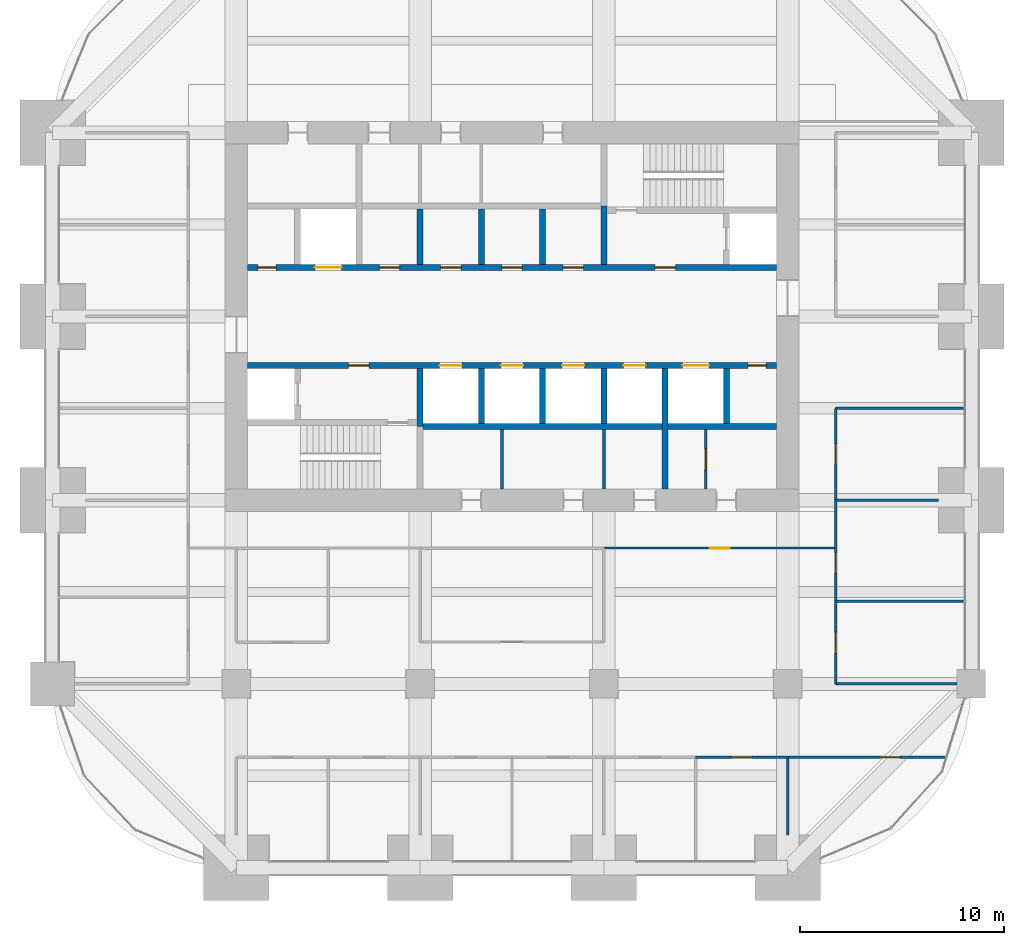
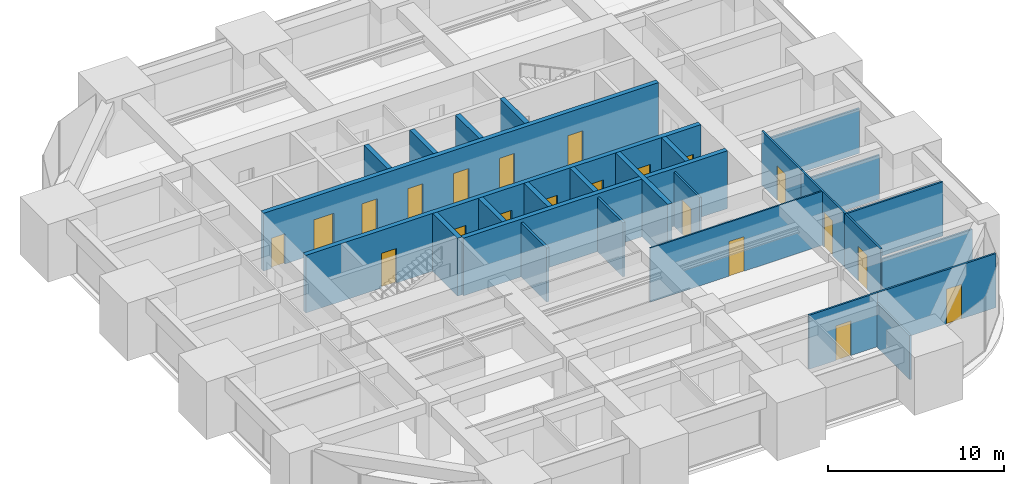
# One storey, part 41 of 43: 27 walls, 21 doors, 21 openings.
"""IFC4 building model written with IfcOpenShell, lengths in metres."""

from ifc_helpers import new_model, si_unit, direction, frame, frame_2d, origin, place, context, subcontext, project, spatial, rectangle, extrude, material, layer, layer_set, type_object, element, fill, save


model = new_model("IFC4")

# Units and contexts
model_context = context("Model", 3, precision=1e-05, world=origin(), true_north=direction((0.0, 1.0)))
body_context = subcontext(model_context, "Body", "Model", "MODEL_VIEW")
ifc_project = project(units=[si_unit("LENGTHUNIT", "METRE"), si_unit("AREAUNIT", "SQUARE_METRE"), si_unit("VOLUMEUNIT", "CUBIC_METRE"), si_unit("PLANEANGLEUNIT", "RADIAN"), si_unit("MASSUNIT", "GRAM", prefix="KILO")], contexts=[model_context])

# Site, building, storey
site_placement = place(None, origin())
site = spatial("IfcSite", under=ifc_project, at=site_placement, CompositionType="ELEMENT")
building_placement = place(site_placement, origin())
building = spatial("IfcBuilding", under=site, at=building_placement, Name="Zorevar Civic Tower", CompositionType="ELEMENT")
storey_placement = place(building_placement, frame((0.0, 0.0, 243.39990234375)))
storey = spatial("IfcBuildingStorey", under=building, at=storey_placement, Name="L59", CompositionType="ELEMENT", Elevation=243.39990234375)

# Wall, opening, door
ifc_material_1 = material(Name="Laminated glass in black aluminium frame", Category="aluminium")
ifc_layer_1 = layer(ifc_material_1, 0.10009765625)
ifc_layer_set_1 = layer_set([ifc_layer_1], Name="Glazed partition 100")
wall_type_1 = type_object("IfcWallType", Name="Glazed partition 100", PredefinedType="PARTITIONING", material=ifc_layer_set_1)
wall_1_placement = place(storey_placement, frame((36.010009765625, 15.64990234375, 0.0), z_axis=(0.0, 0.0, 1.0), x_axis=(1.0, 0.0, 0.0)))
wall_1 = element("IfcWall", 1, at=wall_1_placement, inside=storey, type_object=wall_type_1, Name="Glazed partition 100 L59", PredefinedType="PARTITIONING", context=body_context, shape_type="SweptSolid", body=[
    extrude(rectangle(XDim=11.330078125, YDim=0.10009765625, at=frame_2d((5.6650390625, 0.0))), origin(), (0.0, 0.0, 1.0), 3.75),
])
opening_1_placement = place(wall_1_placement, frame((5.1650390625, 0.0, 0.0)))
opening_1 = element("IfcOpeningElement", 2, at=opening_1_placement, cuts=wall_1, Name="Opening L59.26", PredefinedType="OPENING", context=body_context, shape_type="SweptSolid", body=[
    extrude(rectangle(XDim=1.0, YDim=2.39990234375, at=frame_2d((0.5, 1.199951171875))), frame((0.0, 0.06005859375, 0.0), z_axis=(0.0, -1.0, 0.0), x_axis=(1.0, 0.0, 0.0)), (0.0, 0.0, 1.0), 0.1201171875),
])
ifc_material_2 = material(Name="Timber door set", Category="wood")
door_type_1 = type_object("IfcDoorType", Name="Glazed door GD1 1000x2400", OperationType="SINGLE_SWING_LEFT", PredefinedType="DOOR", material=ifc_material_2)
door_1_placement = place(opening_1_placement, origin())
door_1 = element("IfcDoor", 3, at=door_1_placement, inside=storey, type_object=door_type_1, Name="Door L59 D1", OperationType="SINGLE_SWING_RIGHT", OverallHeight=2.39990234375, OverallWidth=1.0, PredefinedType="DOOR", context=body_context, shape_type="SweptSolid", body=[
    extrude(rectangle(XDim=1.0, YDim=2.39990234375, at=frame_2d((0.5, 1.199951171875))), frame((0.0, 0.02001953125, 0.0), z_axis=(0.0, -1.0, 0.0), x_axis=(1.0, 0.0, 0.0)), (0.0, 0.0, 1.0), 0.0400390625),
])
fill(opening_1, door_1)

# Wall, openings, doors
ifc_material_3 = material(Name="Concrete C40/50", Category="concrete")
ifc_layer_2 = layer(ifc_material_3, 0.300048828125)
ifc_layer_set_2 = layer_set([ifc_layer_2], Name="Inner core wall 300")
wall_type_2 = type_object("IfcWallType", Name="Inner core wall 300", PredefinedType="SHEAR", material=ifc_layer_set_2)
wall_2_placement = place(storey_placement, frame((18.550048828125, 24.60009765625, 0.0), z_axis=(0.0, 0.0, 1.0), x_axis=(1.0, 0.0, 0.0)))
wall_2 = element("IfcWall", 4, at=wall_2_placement, inside=storey, type_object=wall_type_2, Name="Inner core wall S03 L59", PredefinedType="SHEAR", context=body_context, shape_type="SweptSolid", body=[
    extrude(rectangle(XDim=25.89990234375, YDim=0.300048828125, at=frame_2d((12.949951171875, 0.0))), origin(), (0.0, 0.0, 1.0), 4.0),
])
opening_2_placement = place(wall_2_placement, frame((4.949951171875, 0.0, 0.0)))
opening_2 = element("IfcOpeningElement", 5, at=opening_2_placement, cuts=wall_2, Name="Opening L59.13", PredefinedType="OPENING", context=body_context, shape_type="SweptSolid", body=[
    extrude(rectangle(XDim=1.0, YDim=2.39990234375, at=frame_2d((0.5, 1.199951171875))), frame((0.0, 0.159912109375, 0.0), z_axis=(0.0, -1.0, 0.0), x_axis=(1.0, 0.0, 0.0)), (0.0, 0.0, 1.0), 0.320068359375),
])
opening_3_placement = place(wall_2_placement, frame((24.5, 0.0, 0.0)))
opening_3 = element("IfcOpeningElement", 6, at=opening_3_placement, cuts=wall_2, Name="Opening L59.15", PredefinedType="OPENING", context=body_context, shape_type="SweptSolid", body=[
    extrude(rectangle(XDim=0.89990234375, YDim=2.10009765625, at=frame_2d((0.449951171875, 1.050048828125))), frame((0.0, 0.159912109375, 0.0), z_axis=(0.0, -1.0, 0.0), x_axis=(1.0, 0.0, 0.0)), (0.0, 0.0, 1.0), 0.320068359375),
])
opening_4_placement = place(wall_2_placement, frame((9.39990234375, 0.0, 0.0)))
opening_4 = element("IfcOpeningElement", 7, at=opening_4_placement, cuts=wall_2, Name="Opening L59.LT1", PredefinedType="OPENING", context=body_context, shape_type="SweptSolid", body=[
    extrude(rectangle(XDim=1.10009765625, YDim=2.39990234375, at=frame_2d((0.550048828125, 1.199951171875))), frame((0.0, 0.159912109375, 0.0), z_axis=(0.0, -1.0, 0.0), x_axis=(1.0, 0.0, 0.0)), (0.0, 0.0, 1.0), 0.320068359375),
])
opening_5_placement = place(wall_2_placement, frame((12.39990234375, 0.0, 0.0)))
opening_5 = element("IfcOpeningElement", 8, at=opening_5_placement, cuts=wall_2, Name="Opening L59.LT2", PredefinedType="OPENING", context=body_context, shape_type="SweptSolid", body=[
    extrude(rectangle(XDim=1.10009765625, YDim=2.39990234375, at=frame_2d((0.550048828125, 1.199951171875))), frame((0.0, 0.159912109375, 0.0), z_axis=(0.0, -1.0, 0.0), x_axis=(1.0, 0.0, 0.0)), (0.0, 0.0, 1.0), 0.320068359375),
])
opening_6_placement = place(wall_2_placement, frame((15.39990234375, 0.0, 0.0)))
opening_6 = element("IfcOpeningElement", 9, at=opening_6_placement, cuts=wall_2, Name="Opening L59.LT3", PredefinedType="OPENING", context=body_context, shape_type="SweptSolid", body=[
    extrude(rectangle(XDim=1.10009765625, YDim=2.39990234375, at=frame_2d((0.550048828125, 1.199951171875))), frame((0.0, 0.159912109375, 0.0), z_axis=(0.0, -1.0, 0.0), x_axis=(1.0, 0.0, 0.0)), (0.0, 0.0, 1.0), 0.320068359375),
])
opening_7_placement = place(wall_2_placement, frame((18.39990234375, 0.0, 0.0)))
opening_7 = element("IfcOpeningElement", 10, at=opening_7_placement, cuts=wall_2, Name="Opening L59.LT4", PredefinedType="OPENING", context=body_context, shape_type="SweptSolid", body=[
    extrude(rectangle(XDim=1.10009765625, YDim=2.39990234375, at=frame_2d((0.550048828125, 1.199951171875))), frame((0.0, 0.159912109375, 0.0), z_axis=(0.0, -1.0, 0.0), x_axis=(1.0, 0.0, 0.0)), (0.0, 0.0, 1.0), 0.320068359375),
])
opening_8_placement = place(wall_2_placement, frame((21.300048828125, 0.0, 0.0)))
opening_8 = element("IfcOpeningElement", 11, at=opening_8_placement, cuts=wall_2, Name="Opening L59.SL1", PredefinedType="OPENING", context=body_context, shape_type="SweptSolid", body=[
    extrude(rectangle(XDim=1.300048828125, YDim=2.39990234375, at=frame_2d((0.64990234375, 1.199951171875))), frame((0.0, 0.159912109375, 0.0), z_axis=(0.0, -1.0, 0.0), x_axis=(1.0, 0.0, 0.0)), (0.0, 0.0, 1.0), 0.320068359375),
])
ifc_material_4 = material(Name="Steel door set", Category="steel")
door_type_2 = type_object("IfcDoorType", Name="Fire door FD1 1000x2400", OperationType="SINGLE_SWING_LEFT", PredefinedType="DOOR", material=ifc_material_4)
door_2_placement = place(opening_2_placement, origin())
door_2 = element("IfcDoor", 12, at=door_2_placement, inside=storey, type_object=door_type_2, Name="Door L59 12", OperationType="SINGLE_SWING_RIGHT", OverallHeight=2.39990234375, OverallWidth=1.0, PredefinedType="DOOR", context=body_context, shape_type="SweptSolid", body=[
    extrude(rectangle(XDim=1.0, YDim=2.39990234375, at=frame_2d((0.5, 1.199951171875))), frame((0.0, 0.030029296875, 0.0), z_axis=(0.0, -1.0, 0.0), x_axis=(1.0, 0.0, 0.0)), (0.0, 0.0, 1.0), 0.06005859375),
])
fill(opening_2, door_2)
ifc_material_5 = material(Name="Steel door set", Category="steel")
door_type_3 = type_object("IfcDoorType", Name="Landing door LD1 1100x2400", OperationType="DOUBLE_DOOR_SLIDING", PredefinedType="DOOR", material=ifc_material_5)
door_3_placement = place(opening_4_placement, origin())
door_3 = element("IfcDoor", 13, at=door_3_placement, inside=storey, type_object=door_type_3, Name="Landing door LT1 L59", OperationType="DOUBLE_DOOR_SLIDING", OverallHeight=2.39990234375, OverallWidth=1.10009765625, PredefinedType="DOOR", context=body_context, shape_type="SweptSolid", body=[
    extrude(rectangle(XDim=1.10009765625, YDim=2.39990234375, at=frame_2d((0.550048828125, 1.199951171875))), frame((0.0, 0.02001953125, 0.0), z_axis=(0.0, -1.0, 0.0), x_axis=(1.0, 0.0, 0.0)), (0.0, 0.0, 1.0), 0.0400390625),
])
fill(opening_4, door_3)
door_4_placement = place(opening_5_placement, origin())
door_4 = element("IfcDoor", 14, at=door_4_placement, inside=storey, type_object=door_type_3, Name="Landing door LT2 L59", OperationType="DOUBLE_DOOR_SLIDING", OverallHeight=2.39990234375, OverallWidth=1.10009765625, PredefinedType="DOOR", context=body_context, shape_type="SweptSolid", body=[
    extrude(rectangle(XDim=1.10009765625, YDim=2.39990234375, at=frame_2d((0.550048828125, 1.199951171875))), frame((0.0, 0.02001953125, 0.0), z_axis=(0.0, -1.0, 0.0), x_axis=(1.0, 0.0, 0.0)), (0.0, 0.0, 1.0), 0.0400390625),
])
fill(opening_5, door_4)
door_5_placement = place(opening_6_placement, origin())
door_5 = element("IfcDoor", 15, at=door_5_placement, inside=storey, type_object=door_type_3, Name="Landing door LT3 L59", OperationType="DOUBLE_DOOR_SLIDING", OverallHeight=2.39990234375, OverallWidth=1.10009765625, PredefinedType="DOOR", context=body_context, shape_type="SweptSolid", body=[
    extrude(rectangle(XDim=1.10009765625, YDim=2.39990234375, at=frame_2d((0.550048828125, 1.199951171875))), frame((0.0, 0.02001953125, 0.0), z_axis=(0.0, -1.0, 0.0), x_axis=(1.0, 0.0, 0.0)), (0.0, 0.0, 1.0), 0.0400390625),
])
fill(opening_6, door_5)
door_6_placement = place(opening_7_placement, origin())
door_6 = element("IfcDoor", 16, at=door_6_placement, inside=storey, type_object=door_type_3, Name="Landing door LT4 L59", OperationType="DOUBLE_DOOR_SLIDING", OverallHeight=2.39990234375, OverallWidth=1.10009765625, PredefinedType="DOOR", context=body_context, shape_type="SweptSolid", body=[
    extrude(rectangle(XDim=1.10009765625, YDim=2.39990234375, at=frame_2d((0.550048828125, 1.199951171875))), frame((0.0, 0.02001953125, 0.0), z_axis=(0.0, -1.0, 0.0), x_axis=(1.0, 0.0, 0.0)), (0.0, 0.0, 1.0), 0.0400390625),
])
fill(opening_7, door_6)
ifc_material_6 = material(Name="Steel door set", Category="steel")
door_type_4 = type_object("IfcDoorType", Name="Landing door LD2 1300x2400", OperationType="DOUBLE_DOOR_SLIDING", PredefinedType="DOOR", material=ifc_material_6)
door_7_placement = place(opening_8_placement, origin())
door_7 = element("IfcDoor", 17, at=door_7_placement, inside=storey, type_object=door_type_4, Name="Landing door SL1 L59", OperationType="DOUBLE_DOOR_SLIDING", OverallHeight=2.39990234375, OverallWidth=1.300048828125, PredefinedType="DOOR", context=body_context, shape_type="SweptSolid", body=[
    extrude(rectangle(XDim=1.300048828125, YDim=2.39990234375, at=frame_2d((0.64990234375, 1.199951171875))), frame((0.0, 0.02001953125, 0.0), z_axis=(0.0, -1.0, 0.0), x_axis=(1.0, 0.0, 0.0)), (0.0, 0.0, 1.0), 0.0400390625),
])
fill(opening_8, door_7)
ifc_material_7 = material(Name="Steel door set", Category="steel")
door_type_5 = type_object("IfcDoorType", Name="Riser door RD1 900x2100", OperationType="SINGLE_SWING_LEFT", PredefinedType="DOOR", material=ifc_material_7)
door_8_placement = place(opening_3_placement, origin())
door_8 = element("IfcDoor", 18, at=door_8_placement, inside=storey, type_object=door_type_5, Name="Door L59 14", OperationType="SINGLE_SWING_RIGHT", OverallHeight=2.10009765625, OverallWidth=0.89990234375, PredefinedType="DOOR", context=body_context, shape_type="SweptSolid", body=[
    extrude(rectangle(XDim=0.89990234375, YDim=2.10009765625, at=frame_2d((0.449951171875, 1.050048828125))), frame((0.0, 0.030029296875, 0.0), z_axis=(0.0, -1.0, 0.0), x_axis=(1.0, 0.0, 0.0)), (0.0, 0.0, 1.0), 0.06005859375),
])
fill(opening_3, door_8)

wall_3_placement = place(storey_placement, frame((18.550048828125, 29.39990234375, 0.0), z_axis=(0.0, 0.0, 1.0), x_axis=(1.0, 0.0, 0.0)))
wall_3 = element("IfcWall", 19, at=wall_3_placement, inside=storey, type_object=wall_type_2, Name="Inner core wall N03 L59", PredefinedType="SHEAR", context=body_context, shape_type="SweptSolid", body=[
    extrude(rectangle(XDim=25.89990234375, YDim=0.300048828125, at=frame_2d((12.949951171875, 0.0))), origin(), (0.0, 0.0, 1.0), 4.0),
])
opening_9_placement = place(wall_3_placement, frame((19.949951171875, 0.0, 0.0)))
opening_9 = element("IfcOpeningElement", 20, at=opening_9_placement, cuts=wall_3, Name="Opening L59.14", PredefinedType="OPENING", context=body_context, shape_type="SweptSolid", body=[
    extrude(rectangle(XDim=1.0, YDim=2.39990234375, at=frame_2d((0.5, 1.199951171875))), frame((0.0, 0.159912109375, 0.0), z_axis=(0.0, -1.0, 0.0), x_axis=(1.0, 0.0, 0.0)), (0.0, 0.0, 1.0), 0.320068359375),
])
opening_10_placement = place(wall_3_placement, frame((0.5, 0.0, 0.0)))
opening_10 = element("IfcOpeningElement", 21, at=opening_10_placement, cuts=wall_3, Name="Opening L59.16", PredefinedType="OPENING", context=body_context, shape_type="SweptSolid", body=[
    extrude(rectangle(XDim=0.89990234375, YDim=2.10009765625, at=frame_2d((0.449951171875, 1.050048828125))), frame((0.0, 0.159912109375, 0.0), z_axis=(0.0, -1.0, 0.0), x_axis=(1.0, 0.0, 0.0)), (0.0, 0.0, 1.0), 0.320068359375),
])
opening_11_placement = place(wall_3_placement, frame((15.449951171875, 0.0, 0.0)))
opening_11 = element("IfcOpeningElement", 22, at=opening_11_placement, cuts=wall_3, Name="Opening L59.39", PredefinedType="OPENING", context=body_context, shape_type="SweptSolid", body=[
    extrude(rectangle(XDim=1.0, YDim=2.39990234375, at=frame_2d((0.5, 1.199951171875))), frame((0.0, 0.159912109375, 0.0), z_axis=(0.0, -1.0, 0.0), x_axis=(1.0, 0.0, 0.0)), (0.0, 0.0, 1.0), 0.320068359375),
])
opening_12_placement = place(wall_3_placement, frame((12.449951171875, 0.0, 0.0)))
opening_12 = element("IfcOpeningElement", 23, at=opening_12_placement, cuts=wall_3, Name="Opening L59.40", PredefinedType="OPENING", context=body_context, shape_type="SweptSolid", body=[
    extrude(rectangle(XDim=1.0, YDim=2.39990234375, at=frame_2d((0.5, 1.199951171875))), frame((0.0, 0.159912109375, 0.0), z_axis=(0.0, -1.0, 0.0), x_axis=(1.0, 0.0, 0.0)), (0.0, 0.0, 1.0), 0.320068359375),
])
opening_13_placement = place(wall_3_placement, frame((9.449951171875, 0.0, 0.0)))
opening_13 = element("IfcOpeningElement", 24, at=opening_13_placement, cuts=wall_3, Name="Opening L59.41", PredefinedType="OPENING", context=body_context, shape_type="SweptSolid", body=[
    extrude(rectangle(XDim=1.0, YDim=2.39990234375, at=frame_2d((0.5, 1.199951171875))), frame((0.0, 0.159912109375, 0.0), z_axis=(0.0, -1.0, 0.0), x_axis=(1.0, 0.0, 0.0)), (0.0, 0.0, 1.0), 0.320068359375),
])
opening_14_placement = place(wall_3_placement, frame((6.449951171875, 0.0, 0.0)))
opening_14 = element("IfcOpeningElement", 25, at=opening_14_placement, cuts=wall_3, Name="Opening L59.42", PredefinedType="OPENING", context=body_context, shape_type="SweptSolid", body=[
    extrude(rectangle(XDim=1.0, YDim=2.39990234375, at=frame_2d((0.5, 1.199951171875))), frame((0.0, 0.159912109375, 0.0), z_axis=(0.0, -1.0, 0.0), x_axis=(1.0, 0.0, 0.0)), (0.0, 0.0, 1.0), 0.320068359375),
])
opening_15_placement = place(wall_3_placement, frame((3.300048828125, 0.0, 0.0)))
opening_15 = element("IfcOpeningElement", 26, at=opening_15_placement, cuts=wall_3, Name="Opening L59.SL2", PredefinedType="OPENING", context=body_context, shape_type="SweptSolid", body=[
    extrude(rectangle(XDim=1.300048828125, YDim=2.39990234375, at=frame_2d((0.64990234375, 1.199951171875))), frame((0.0, 0.159912109375, 0.0), z_axis=(0.0, -1.0, 0.0), x_axis=(1.0, 0.0, 0.0)), (0.0, 0.0, 1.0), 0.320068359375),
])
door_9_placement = place(opening_9_placement, origin())
door_9 = element("IfcDoor", 27, at=door_9_placement, inside=storey, type_object=door_type_2, Name="Door L59 13", OperationType="SINGLE_SWING_RIGHT", OverallHeight=2.39990234375, OverallWidth=1.0, PredefinedType="DOOR", context=body_context, shape_type="SweptSolid", body=[
    extrude(rectangle(XDim=1.0, YDim=2.39990234375, at=frame_2d((0.5, 1.199951171875))), frame((0.0, 0.030029296875, 0.0), z_axis=(0.0, -1.0, 0.0), x_axis=(1.0, 0.0, 0.0)), (0.0, 0.0, 1.0), 0.06005859375),
])
fill(opening_9, door_9)
door_10_placement = place(opening_11_placement, origin())
door_10 = element("IfcDoor", 28, at=door_10_placement, inside=storey, type_object=door_type_2, Name="Door L59 LM1 shaft room", OperationType="SINGLE_SWING_LEFT", OverallHeight=2.39990234375, OverallWidth=1.0, PredefinedType="DOOR", context=body_context, shape_type="SweptSolid", body=[
    extrude(rectangle(XDim=1.0, YDim=2.39990234375, at=frame_2d((0.5, 1.199951171875))), frame((0.0, 0.030029296875, 0.0), z_axis=(0.0, -1.0, 0.0), x_axis=(1.0, 0.0, 0.0)), (0.0, 0.0, 1.0), 0.06005859375),
])
fill(opening_11, door_10)
door_11_placement = place(opening_12_placement, origin())
door_11 = element("IfcDoor", 29, at=door_11_placement, inside=storey, type_object=door_type_2, Name="Door L59 LM2 shaft room", OperationType="SINGLE_SWING_RIGHT", OverallHeight=2.39990234375, OverallWidth=1.0, PredefinedType="DOOR", context=body_context, shape_type="SweptSolid", body=[
    extrude(rectangle(XDim=1.0, YDim=2.39990234375, at=frame_2d((0.5, 1.199951171875))), frame((0.0, 0.030029296875, 0.0), z_axis=(0.0, -1.0, 0.0), x_axis=(1.0, 0.0, 0.0)), (0.0, 0.0, 1.0), 0.06005859375),
])
fill(opening_12, door_11)
door_12_placement = place(opening_13_placement, origin())
door_12 = element("IfcDoor", 30, at=door_12_placement, inside=storey, type_object=door_type_2, Name="Door L59 LH1 shaft room", OperationType="SINGLE_SWING_RIGHT", OverallHeight=2.39990234375, OverallWidth=1.0, PredefinedType="DOOR", context=body_context, shape_type="SweptSolid", body=[
    extrude(rectangle(XDim=1.0, YDim=2.39990234375, at=frame_2d((0.5, 1.199951171875))), frame((0.0, 0.030029296875, 0.0), z_axis=(0.0, -1.0, 0.0), x_axis=(1.0, 0.0, 0.0)), (0.0, 0.0, 1.0), 0.06005859375),
])
fill(opening_13, door_12)
door_13_placement = place(opening_14_placement, origin())
door_13 = element("IfcDoor", 31, at=door_13_placement, inside=storey, type_object=door_type_2, Name="Door L59 LH2 shaft room", OperationType="SINGLE_SWING_RIGHT", OverallHeight=2.39990234375, OverallWidth=1.0, PredefinedType="DOOR", context=body_context, shape_type="SweptSolid", body=[
    extrude(rectangle(XDim=1.0, YDim=2.39990234375, at=frame_2d((0.5, 1.199951171875))), frame((0.0, 0.030029296875, 0.0), z_axis=(0.0, -1.0, 0.0), x_axis=(1.0, 0.0, 0.0)), (0.0, 0.0, 1.0), 0.06005859375),
])
fill(opening_14, door_13)
door_14_placement = place(opening_15_placement, origin())
door_14 = element("IfcDoor", 32, at=door_14_placement, inside=storey, type_object=door_type_4, Name="Landing door SL2 L59", OperationType="DOUBLE_DOOR_SLIDING", OverallHeight=2.39990234375, OverallWidth=1.300048828125, PredefinedType="DOOR", context=body_context, shape_type="SweptSolid", body=[
    extrude(rectangle(XDim=1.300048828125, YDim=2.39990234375, at=frame_2d((0.64990234375, 1.199951171875))), frame((0.0, 0.02001953125, 0.0), z_axis=(0.0, -1.0, 0.0), x_axis=(1.0, 0.0, 0.0)), (0.0, 0.0, 1.0), 0.0400390625),
])
fill(opening_15, door_14)
door_15_placement = place(opening_10_placement, origin())
door_15 = element("IfcDoor", 33, at=door_15_placement, inside=storey, type_object=door_type_5, Name="Door L59 15", OperationType="SINGLE_SWING_RIGHT", OverallHeight=2.10009765625, OverallWidth=0.89990234375, PredefinedType="DOOR", context=body_context, shape_type="SweptSolid", body=[
    extrude(rectangle(XDim=0.89990234375, YDim=2.10009765625, at=frame_2d((0.449951171875, 1.050048828125))), frame((0.0, 0.030029296875, 0.0), z_axis=(0.0, -1.0, 0.0), x_axis=(1.0, 0.0, 0.0)), (0.0, 0.0, 1.0), 0.06005859375),
])
fill(opening_10, door_15)

# Walls
wall_4_placement = place(storey_placement, frame((27.14990234375, 21.60009765625, 0.0), z_axis=(0.0, 0.0, 1.0), x_axis=(1.0, 0.0, 0.0)))
element("IfcWall", 34, at=wall_4_placement, inside=storey, type_object=wall_type_2, Name="Inner core wall S04 L59", PredefinedType="SHEAR", context=body_context, shape_type="SweptSolid", body=[
    extrude(rectangle(XDim=17.300048828125, YDim=0.300048828125, at=frame_2d((8.64990234375, 0.0))), origin(), (0.0, 0.0, 1.0), 4.0),
])
for number, where, z_axis, x_axis, name in (
    (35, (30.0, 21.75, 0.0), (0.0, 0.0, 1.0), (0.0, 1.0, 0.0), "Inner core wall S05 L59"),
    (36, (33.0, 29.550048828125, 0.0), (0.0, 0.0, 1.0), (0.0, 1.0, 0.0), "Inner core wall N05 L59"),
    (37, (33.0, 21.75, 0.0), (0.0, 0.0, 1.0), (0.0, 1.0, 0.0), "Inner core wall S06 L59"),
    (38, (30.0, 29.550048828125, 0.0), (0.0, 0.0, 1.0), (0.0, 1.0, 0.0), "Inner core wall N06 L59"),
    (39, (36.0, 21.75, 0.0), (0.0, 0.0, 1.0), (0.0, 1.0, 0.0), "Inner core wall S07 L59"),
    (40, (27.0, 29.550048828125, 0.0), (0.0, 0.0, 1.0), (0.0, 1.0, 0.0), "Inner core wall N07 L59"),
):
    element("IfcWall", number, at=place(storey_placement, frame(where, z_axis=z_axis, x_axis=x_axis)), inside=storey, type_object=wall_type_2, Name=name, PredefinedType="SHEAR", context=body_context, shape_type="SweptSolid", body=[
        extrude(rectangle(XDim=2.699951171875, YDim=0.300048828125, at=frame_2d((1.35009765625, 0.0))), origin(), (0.0, 0.0, 1.0), 4.0),
    ])
wall_5_placement = place(storey_placement, frame((39.0, 18.550048828125, 0.0), z_axis=(0.0, 0.0, 1.0), x_axis=(0.0, 1.0, 0.0)))
element("IfcWall", 41, at=wall_5_placement, inside=storey, type_object=wall_type_2, Name="Inner core wall S08 L59", PredefinedType="SHEAR", context=body_context, shape_type="SweptSolid", body=[
    extrude(rectangle(XDim=5.89990234375, YDim=0.300048828125, at=frame_2d((2.949951171875, 0.0))), origin(), (0.0, 0.0, 1.0), 4.0),
])
wall_6_placement = place(storey_placement, frame((42.0, 21.75, 0.0), z_axis=(0.0, 0.0, 1.0), x_axis=(0.0, 1.0, 0.0)))
element("IfcWall", 42, at=wall_6_placement, inside=storey, type_object=wall_type_2, Name="Inner core wall S09 L59", PredefinedType="SHEAR", context=body_context, shape_type="SweptSolid", body=[
    extrude(rectangle(XDim=2.699951171875, YDim=0.300048828125, at=frame_2d((1.35009765625, 0.0))), origin(), (0.0, 0.0, 1.0), 4.0),
])
for number, where, z_axis, x_axis, name in (
    (43, (27.0, 21.60009765625, 0.0), (0.0, 0.0, 1.0), (0.0, 1.0, 0.0), "Inner core wall S10 L59"),
    (44, (36.0, 29.550048828125, 0.0), (0.0, 0.0, 1.0), (0.0, 1.0, 0.0), "Inner core wall N10 L59"),
):
    element("IfcWall", number, at=place(storey_placement, frame(where, z_axis=z_axis, x_axis=x_axis)), inside=storey, type_object=wall_type_2, Name=name, PredefinedType="SHEAR", context=body_context, shape_type="SweptSolid", body=[
        extrude(rectangle(XDim=2.849853515625, YDim=0.300048828125, at=frame_2d((1.4248046875, 0.0))), origin(), (0.0, 0.0, 1.0), 4.0),
    ])

# Wall, opening, door
ifc_material_8 = material(Name="Gypsum board on steel studs", Category="steel")
ifc_layer_3 = layer(ifc_material_8, 0.1201171875)
ifc_layer_set_3 = layer_set([ifc_layer_3], Name="Partition 120")
wall_type_3 = type_object("IfcWallType", Name="Partition 120", PredefinedType="PARTITIONING", material=ifc_layer_set_3)
wall_7_placement = place(storey_placement, frame((40.5, 5.39990234375, 0.0), z_axis=(0.0, 0.0, 1.0), x_axis=(1.0, 0.0, 0.0)))
wall_7 = element("IfcWall", 45, at=wall_7_placement, inside=storey, type_object=wall_type_3, Name="Partition 120 L59", PredefinedType="PARTITIONING", context=body_context, shape_type="SweptSolid", body=[
    extrude(rectangle(XDim=4.5, YDim=0.1201171875, at=frame_2d((2.25, 0.0))), origin(), (0.0, 0.0, 1.0), 3.75),
])
opening_16_placement = place(wall_7_placement, frame((1.75, 0.0, 0.0)))
opening_16 = element("IfcOpeningElement", 46, at=opening_16_placement, cuts=wall_7, Name="Opening L59.22", PredefinedType="OPENING", context=body_context, shape_type="SweptSolid", body=[
    extrude(rectangle(XDim=1.0, YDim=2.39990234375, at=frame_2d((0.5, 1.199951171875))), frame((0.0, 0.070068359375, 0.0), z_axis=(0.0, -1.0, 0.0), x_axis=(1.0, 0.0, 0.0)), (0.0, 0.0, 1.0), 0.14013671875),
])
ifc_material_9 = material(Name="Timber door set", Category="wood")
door_type_6 = type_object("IfcDoorType", Name="Door D1 1000x2400", OperationType="SINGLE_SWING_LEFT", PredefinedType="DOOR", material=ifc_material_9)
door_16_placement = place(opening_16_placement, origin())
door_16 = element("IfcDoor", 47, at=door_16_placement, inside=storey, type_object=door_type_6, Name="Door L59 D1", OperationType="SINGLE_SWING_LEFT", OverallHeight=2.39990234375, OverallWidth=1.0, PredefinedType="DOOR", context=body_context, shape_type="SweptSolid", body=[
    extrude(rectangle(XDim=1.0, YDim=2.39990234375, at=frame_2d((0.5, 1.199951171875))), frame((0.0, 0.02490234375, 0.0), z_axis=(0.0, -1.0, 0.0), x_axis=(1.0, 0.0, 0.0)), (0.0, 0.0, 1.0), 0.050048828125),
])
fill(opening_16, door_16)

wall_8_placement = place(storey_placement, frame((45.0, 5.39990234375, 0.0), z_axis=(0.0, 0.0, 1.0), x_axis=(1.0, 0.0, 0.0)))
wall_8 = element("IfcWall", 48, at=wall_8_placement, inside=storey, type_object=wall_type_3, Name="Partition 120 L59", PredefinedType="PARTITIONING", context=body_context, shape_type="SweptSolid", body=[
    extrude(rectangle(XDim=7.74560546875, YDim=0.1201171875, at=frame_2d((3.872802734375, 0.0))), origin(), (0.0, 0.0, 1.0), 3.75),
])
opening_17_placement = place(wall_8_placement, frame((4.5, 0.0, 0.0)))
opening_17 = element("IfcOpeningElement", 49, at=opening_17_placement, cuts=wall_8, Name="Opening L59.23", PredefinedType="OPENING", context=body_context, shape_type="SweptSolid", body=[
    extrude(rectangle(XDim=1.0, YDim=2.39990234375, at=frame_2d((0.5, 1.199951171875))), frame((0.0, 0.070068359375, 0.0), z_axis=(0.0, -1.0, 0.0), x_axis=(1.0, 0.0, 0.0)), (0.0, 0.0, 1.0), 0.14013671875),
])
door_17_placement = place(opening_17_placement, origin())
door_17 = element("IfcDoor", 50, at=door_17_placement, inside=storey, type_object=door_type_6, Name="Door L59 D1", OperationType="SINGLE_SWING_LEFT", OverallHeight=2.39990234375, OverallWidth=1.0, PredefinedType="DOOR", context=body_context, shape_type="SweptSolid", body=[
    extrude(rectangle(XDim=1.0, YDim=2.39990234375, at=frame_2d((0.5, 1.199951171875))), frame((0.0, 0.02490234375, 0.0), z_axis=(0.0, -1.0, 0.0), x_axis=(1.0, 0.0, 0.0)), (0.0, 0.0, 1.0), 0.050048828125),
])
fill(opening_17, door_17)

# Walls
wall_9_placement = place(storey_placement, frame((47.35009765625, 9.0, 0.0), z_axis=(0.0, 0.0, 1.0), x_axis=(1.0, 0.0, 0.0)))
element("IfcWall", 51, at=wall_9_placement, inside=storey, type_object=wall_type_3, Name="Partition 120 L59", PredefinedType="PARTITIONING", context=body_context, shape_type="SweptSolid", body=[
    extrude(rectangle(XDim=5.949951171875, YDim=0.1201171875, at=frame_2d((2.97509765625, 0.0))), origin(), (0.0, 0.0, 1.0), 3.050048828125),
])
wall_10_placement = place(storey_placement, frame((47.35009765625, 13.050048828125, 0.0), z_axis=(0.0, 0.0, 1.0), x_axis=(1.0, 0.0, 0.0)))
element("IfcWall", 52, at=wall_10_placement, inside=storey, type_object=wall_type_3, Name="Partition 120 L59", PredefinedType="PARTITIONING", context=body_context, shape_type="SweptSolid", body=[
    extrude(rectangle(XDim=6.33984375, YDim=0.1201171875, at=frame_2d((3.169921875, 0.0))), origin(), (0.0, 0.0, 1.0), 3.75),
])
wall_11_placement = place(storey_placement, frame((47.35009765625, 18.0, 0.0), z_axis=(0.0, 0.0, 1.0), x_axis=(1.0, 0.0, 0.0)))
element("IfcWall", 53, at=wall_11_placement, inside=storey, type_object=wall_type_3, Name="Partition 120 L59", PredefinedType="PARTITIONING", context=body_context, shape_type="SweptSolid", body=[
    extrude(rectangle(XDim=5.0498046875, YDim=0.1201171875, at=frame_2d((2.52490234375, 0.0))), origin(), (0.0, 0.0, 1.0), 3.050048828125),
])
wall_12_placement = place(storey_placement, frame((47.35009765625, 22.5, 0.0), z_axis=(0.0, 0.0, 1.0), x_axis=(1.0, 0.0, 0.0)))
element("IfcWall", 54, at=wall_12_placement, inside=storey, type_object=wall_type_3, Name="Partition 120 L59", PredefinedType="PARTITIONING", context=body_context, shape_type="SweptSolid", body=[
    extrude(rectangle(XDim=6.33984375, YDim=0.1201171875, at=frame_2d((3.169921875, 0.0))), origin(), (0.0, 0.0, 1.0), 3.10009765625),
])
wall_13_placement = place(storey_placement, frame((45.0, 1.60009765625, 0.0), z_axis=(0.0, 0.0, 1.0), x_axis=(0.0, 1.0, 0.0)))
element("IfcWall", 55, at=wall_13_placement, inside=storey, type_object=wall_type_3, Name="Partition 120 L59", PredefinedType="PARTITIONING", context=body_context, shape_type="SweptSolid", body=[
    extrude(rectangle(XDim=3.7998046875, YDim=0.1201171875, at=frame_2d((1.89990234375, 0.0))), origin(), (0.0, 0.0, 1.0), 3.050048828125),
])

# Wall, opening, door
wall_14_placement = place(storey_placement, frame((47.35009765625, 9.0, 0.0), z_axis=(0.0, 0.0, 1.0), x_axis=(0.0, 1.0, 0.0)))
wall_14 = element("IfcWall", 56, at=wall_14_placement, inside=storey, type_object=wall_type_3, Name="Partition 120 L59", PredefinedType="PARTITIONING", context=body_context, shape_type="SweptSolid", body=[
    extrude(rectangle(XDim=4.050048828125, YDim=0.1201171875, at=frame_2d((2.02490234375, 0.0))), origin(), (0.0, 0.0, 1.0), 3.75),
])
opening_18_placement = place(wall_14_placement, frame((1.52490234375, 0.0, 0.0)))
opening_18 = element("IfcOpeningElement", 57, at=opening_18_placement, cuts=wall_14, Name="Opening L59.33", PredefinedType="OPENING", context=body_context, shape_type="SweptSolid", body=[
    extrude(rectangle(XDim=1.0, YDim=2.39990234375, at=frame_2d((0.5, 1.199951171875))), frame((0.0, 0.070068359375, 0.0), z_axis=(0.0, -1.0, 0.0), x_axis=(1.0, 0.0, 0.0)), (0.0, 0.0, 1.0), 0.14013671875),
])
door_18_placement = place(opening_18_placement, origin())
door_18 = element("IfcDoor", 58, at=door_18_placement, inside=storey, type_object=door_type_6, Name="Door L59 D1", OperationType="SINGLE_SWING_LEFT", OverallHeight=2.39990234375, OverallWidth=1.0, PredefinedType="DOOR", context=body_context, shape_type="SweptSolid", body=[
    extrude(rectangle(XDim=1.0, YDim=2.39990234375, at=frame_2d((0.5, 1.199951171875))), frame((0.0, 0.02490234375, 0.0), z_axis=(0.0, -1.0, 0.0), x_axis=(1.0, 0.0, 0.0)), (0.0, 0.0, 1.0), 0.050048828125),
])
fill(opening_18, door_18)

wall_15_placement = place(storey_placement, frame((47.35009765625, 13.050048828125, 0.0), z_axis=(0.0, 0.0, 1.0), x_axis=(0.0, 1.0, 0.0)))
wall_15 = element("IfcWall", 59, at=wall_15_placement, inside=storey, type_object=wall_type_3, Name="Partition 120 L59", PredefinedType="PARTITIONING", context=body_context, shape_type="SweptSolid", body=[
    extrude(rectangle(XDim=4.949951171875, YDim=0.1201171875, at=frame_2d((2.47509765625, 0.0))), origin(), (0.0, 0.0, 1.0), 3.75),
])
opening_19_placement = place(wall_15_placement, frame((1.375, 0.0, 0.0)))
opening_19 = element("IfcOpeningElement", 60, at=opening_19_placement, cuts=wall_15, Name="Opening L59.34", PredefinedType="OPENING", context=body_context, shape_type="SweptSolid", body=[
    extrude(rectangle(XDim=1.0, YDim=2.39990234375, at=frame_2d((0.5, 1.199951171875))), frame((0.0, 0.070068359375, 0.0), z_axis=(0.0, -1.0, 0.0), x_axis=(1.0, 0.0, 0.0)), (0.0, 0.0, 1.0), 0.14013671875),
])
door_19_placement = place(opening_19_placement, origin())
door_19 = element("IfcDoor", 61, at=door_19_placement, inside=storey, type_object=door_type_6, Name="Door L59 D1", OperationType="SINGLE_SWING_RIGHT", OverallHeight=2.39990234375, OverallWidth=1.0, PredefinedType="DOOR", context=body_context, shape_type="SweptSolid", body=[
    extrude(rectangle(XDim=1.0, YDim=2.39990234375, at=frame_2d((0.5, 1.199951171875))), frame((0.0, 0.02490234375, 0.0), z_axis=(0.0, -1.0, 0.0), x_axis=(1.0, 0.0, 0.0)), (0.0, 0.0, 1.0), 0.050048828125),
])
fill(opening_19, door_19)

wall_16_placement = place(storey_placement, frame((47.35009765625, 18.0, 0.0), z_axis=(0.0, 0.0, 1.0), x_axis=(0.0, 1.0, 0.0)))
wall_16 = element("IfcWall", 62, at=wall_16_placement, inside=storey, type_object=wall_type_3, Name="Partition 120 L59", PredefinedType="PARTITIONING", context=body_context, shape_type="SweptSolid", body=[
    extrude(rectangle(XDim=4.5, YDim=0.1201171875, at=frame_2d((2.25, 0.0))), origin(), (0.0, 0.0, 1.0), 3.75),
])
opening_20_placement = place(wall_16_placement, frame((1.75, 0.0, 0.0)))
opening_20 = element("IfcOpeningElement", 63, at=opening_20_placement, cuts=wall_16, Name="Opening L59.35", PredefinedType="OPENING", context=body_context, shape_type="SweptSolid", body=[
    extrude(rectangle(XDim=1.0, YDim=2.39990234375, at=frame_2d((0.5, 1.199951171875))), frame((0.0, 0.070068359375, 0.0), z_axis=(0.0, -1.0, 0.0), x_axis=(1.0, 0.0, 0.0)), (0.0, 0.0, 1.0), 0.14013671875),
])
door_20_placement = place(opening_20_placement, origin())
door_20 = element("IfcDoor", 64, at=door_20_placement, inside=storey, type_object=door_type_6, Name="Door L59 D1", OperationType="SINGLE_SWING_RIGHT", OverallHeight=2.39990234375, OverallWidth=1.0, PredefinedType="DOOR", context=body_context, shape_type="SweptSolid", body=[
    extrude(rectangle(XDim=1.0, YDim=2.39990234375, at=frame_2d((0.5, 1.199951171875))), frame((0.0, 0.02490234375, 0.0), z_axis=(0.0, -1.0, 0.0), x_axis=(1.0, 0.0, 0.0)), (0.0, 0.0, 1.0), 0.050048828125),
])
fill(opening_20, door_20)

wall_17_placement = place(storey_placement, frame((41.0, 18.550048828125, 0.0), z_axis=(0.0, 0.0, 1.0), x_axis=(0.0, 1.0, 0.0)))
wall_17 = element("IfcWall", 65, at=wall_17_placement, inside=storey, type_object=wall_type_3, Name="Partition L59", PredefinedType="PARTITIONING", context=body_context, shape_type="SweptSolid", body=[
    extrude(rectangle(XDim=2.89990234375, YDim=0.1201171875, at=frame_2d((1.449951171875, 0.0))), origin(), (0.0, 0.0, 1.0), 3.75),
])
opening_21_placement = place(wall_17_placement, frame((0.949951171875, 0.0, 0.0)))
opening_21 = element("IfcOpeningElement", 66, at=opening_21_placement, cuts=wall_17, Name="Opening L59.38", PredefinedType="OPENING", context=body_context, shape_type="SweptSolid", body=[
    extrude(rectangle(XDim=1.0, YDim=2.39990234375, at=frame_2d((0.5, 1.199951171875))), frame((0.0, 0.070068359375, 0.0), z_axis=(0.0, -1.0, 0.0), x_axis=(1.0, 0.0, 0.0)), (0.0, 0.0, 1.0), 0.14013671875),
])
door_21_placement = place(opening_21_placement, origin())
door_21 = element("IfcDoor", 67, at=door_21_placement, inside=storey, type_object=door_type_2, Name="Door L59 ES", OperationType="SINGLE_SWING_LEFT", OverallHeight=2.39990234375, OverallWidth=1.0, PredefinedType="DOOR", context=body_context, shape_type="SweptSolid", body=[
    extrude(rectangle(XDim=1.0, YDim=2.39990234375, at=frame_2d((0.5, 1.199951171875))), frame((0.0, 0.030029296875, 0.0), z_axis=(0.0, -1.0, 0.0), x_axis=(1.0, 0.0, 0.0)), (0.0, 0.0, 1.0), 0.06005859375),
])
fill(opening_21, door_21)

# Walls
ifc_material_10 = material(Name="Gypsum board on steel studs, moisture resistant", Category="steel")
ifc_layer_4 = layer(ifc_material_10, 0.14990234375)
ifc_layer_set_4 = layer_set([ifc_layer_4], Name="WC partition 150")
wall_type_4 = type_object("IfcWallType", Name="WC partition 150", PredefinedType="PARTITIONING", material=ifc_layer_set_4)
for number, where, z_axis, x_axis, name in (
    (68, (31.0, 18.550048828125, 0.0), (0.0, 0.0, 1.0), (0.0, 1.0, 0.0), "WC partition L59"),
    (69, (36.0, 18.550048828125, 0.0), (0.0, 0.0, 1.0), (0.0, 1.0, 0.0), "WC partition L59"),
):
    element("IfcWall", number, at=place(storey_placement, frame(where, z_axis=z_axis, x_axis=x_axis)), inside=storey, type_object=wall_type_4, Name=name, PredefinedType="PARTITIONING", context=body_context, shape_type="SweptSolid", body=[
        extrude(rectangle(XDim=2.89990234375, YDim=0.14990234375, at=frame_2d((1.449951171875, 0.0))), origin(), (0.0, 0.0, 1.0), 3.75),
    ])

save(model, "model.ifc")
